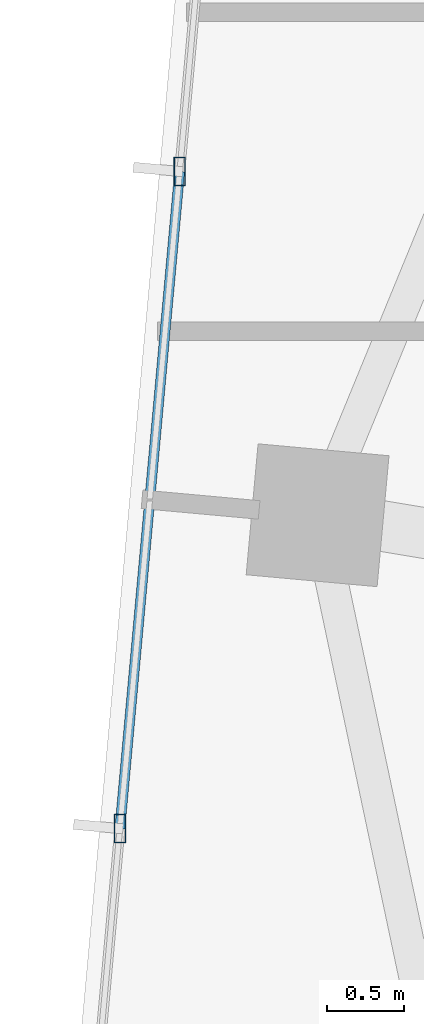
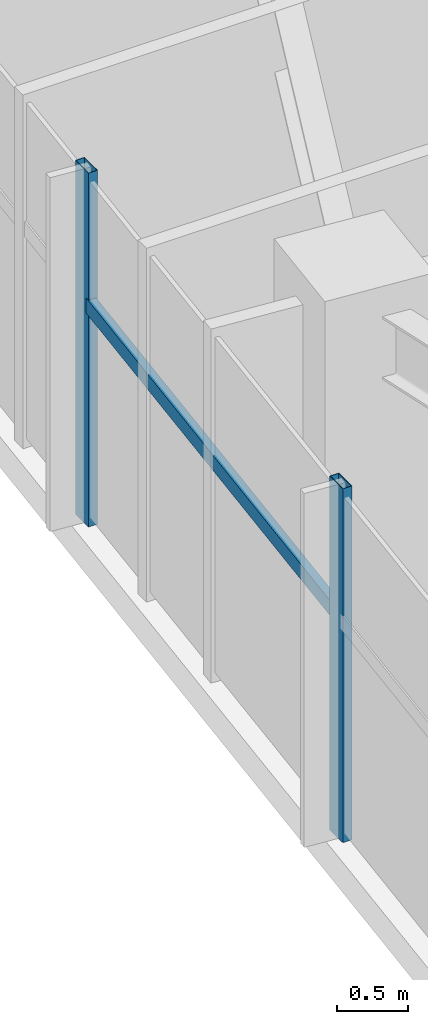
# One storey, part 4 of 22: 3 members, 1 element without a shape of its own.
"""IFC4 building model written with IfcOpenShell, lengths in metres."""

from ifc_helpers import new_model, si_unit, direction, frame, origin, origin_2d, place, context, subcontext, project, spatial, hollow_rectangle, extrude, source, transform, mapped, material, material_profile, profile_set, type_object, type_shapes, element, aggregate, save


model = new_model("IFC4")

# Units and contexts
model_context = context("Model", 3, precision=1e-05, world=origin(), true_north=direction((0.0, 1.0)))
body_context = subcontext(model_context, "Body", "Model", "MODEL_VIEW")
ifc_project = project(units=[si_unit("LENGTHUNIT", "METRE"), si_unit("AREAUNIT", "SQUARE_METRE"), si_unit("VOLUMEUNIT", "CUBIC_METRE"), si_unit("PLANEANGLEUNIT", "RADIAN"), si_unit("MASSUNIT", "GRAM", prefix="KILO")], contexts=[model_context])

# Site, building, storey
site_placement = place(None, origin())
site = spatial("IfcSite", under=ifc_project, at=site_placement, CompositionType="ELEMENT")
building_placement = place(site_placement, origin())
building = spatial("IfcBuilding", under=site, at=building_placement, Name="Astriad Promenade Condominiums", CompositionType="ELEMENT")
storey_placement = place(building_placement, frame((0.0, 0.0, 239.699951171875)))
storey = spatial("IfcBuildingStorey", under=building, at=storey_placement, Name="L69", CompositionType="ELEMENT", Elevation=239.699951171875)

# Curtain wall, members
ifc_material_1 = material(Name="Anodised aluminium Black Dark Glass Unitised", Category="aluminium")
curtain_wall_type = type_object("IfcCurtainWallType", Name="CW-B5-DARK", PredefinedType="USERDEFINED", material=ifc_material_1)
curtain_wall_placement = place(storey_placement, origin())
curtain_wall = element("IfcCurtainWall", 1, at=curtain_wall_placement, inside=storey, type_object=curtain_wall_type, Name="CW-L69-W", ObjectType="UNITISED_CURTAIN_WALL", PredefinedType="USERDEFINED")
ifc_material_2 = material(Name="Anodised aluminium 6063-T6 Black", Category="aluminium")
ifc_material_profile_1 = material_profile(ifc_material_2, hollow_rectangle(XDim=0.06494140625, YDim=0.1298828125, WallThickness=0.00390625, at=origin_2d()), Name="ALU-TRN-65X130")
ifc_profile_set_1 = profile_set([ifc_material_profile_1], Name="Anodised aluminium 6063-T6 Black")
member_type_1 = type_object("IfcMemberType", Name="TRN-ALU-TRN-65X130", PredefinedType="USERDEFINED", material=ifc_profile_set_1)
shared_shape_1 = source(origin(), body_context, "Body", "SweptSolid", [
    extrude(hollow_rectangle(XDim=0.06494140625, YDim=0.1298828125, WallThickness=0.00390625, at=origin_2d()), origin(), (0.0, 0.0, 1.0), 4.266845703125),
])
type_shapes(member_type_1, [shared_shape_1])
member_1_placement = place(storey_placement, frame((9.4326171875, 17.984375, 1.884765625), z_axis=(0.090577018386, 0.995889453574, 0.0), x_axis=(-0.995889453574, 0.090577018386, 0.0)))
member_1 = element("IfcMember", 2, at=member_1_placement, type_object=member_type_1, Name="CW-L69-W-TRN-01-0", ObjectType="TRANSOM", PredefinedType="USERDEFINED", context=body_context, shape_type="MappedRepresentation", body=[
    mapped(shared_shape_1, transform((0.0, 0.0, 0.0), scale=1.0)),
])
ifc_material_profile_2 = material_profile(ifc_material_2, hollow_rectangle(XDim=0.074951171875, YDim=0.18505859375, WallThickness=0.00439453125, at=origin_2d()), Name="ALU-MUL-75X185")
ifc_profile_set_2 = profile_set([ifc_material_profile_2], Name="Anodised aluminium 6063-T6 Black")
member_type_2 = type_object("IfcMemberType", Name="MUL-ALU-MUL-75X185", PredefinedType="MULLION", material=ifc_profile_set_2)
shared_shape_2 = source(origin(), body_context, "Body", "SweptSolid", [
    extrude(hollow_rectangle(XDim=0.074951171875, YDim=0.18505859375, WallThickness=0.00439453125, at=origin_2d()), origin(), (0.0, 0.0, 1.0), 3.0400390625),
])
type_shapes(member_type_2, [shared_shape_2])
member_2_placement = place(storey_placement, frame((9.4326171875, 17.984375, 0.0), z_axis=(0.0, 0.0, 1.0), x_axis=(1.0, 0.0, 0.0)))
member_2 = element("IfcMember", 3, at=member_2_placement, type_object=member_type_2, Name="CW-L69-W-MUL-01", PredefinedType="MULLION", context=body_context, shape_type="MappedRepresentation", body=[
    mapped(shared_shape_2, transform((0.0, 0.0, 0.0), scale=1.0)),
])
member_3_placement = place(storey_placement, frame((9.819091796875, 22.233642578125, 0.0), z_axis=(0.0, 0.0, 1.0), x_axis=(1.0, 0.0, 0.0)))
member_3 = element("IfcMember", 4, at=member_3_placement, type_object=member_type_2, Name="CW-L69-W-MUL-02", PredefinedType="MULLION", context=body_context, shape_type="MappedRepresentation", body=[
    mapped(shared_shape_2, transform((0.0, 0.0, 0.0), scale=1.0)),
])
aggregate(curtain_wall, [member_2, member_3, member_1])

save(model, "model.ifc")
